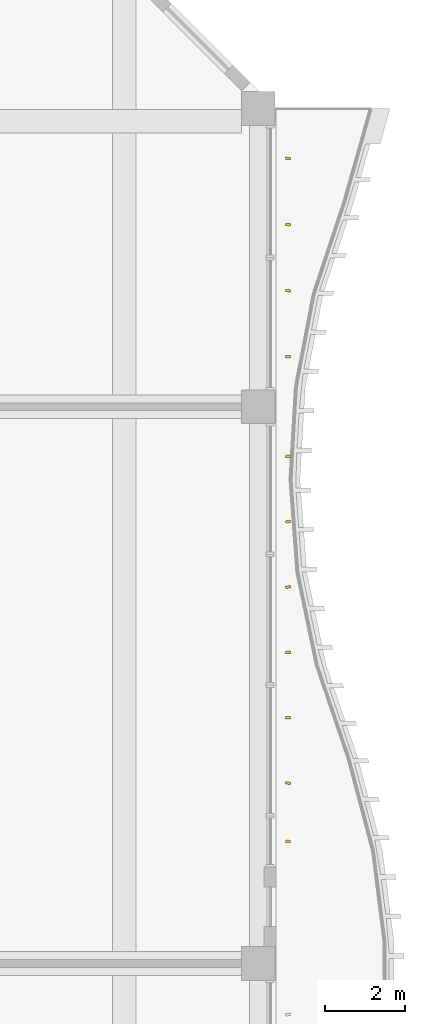
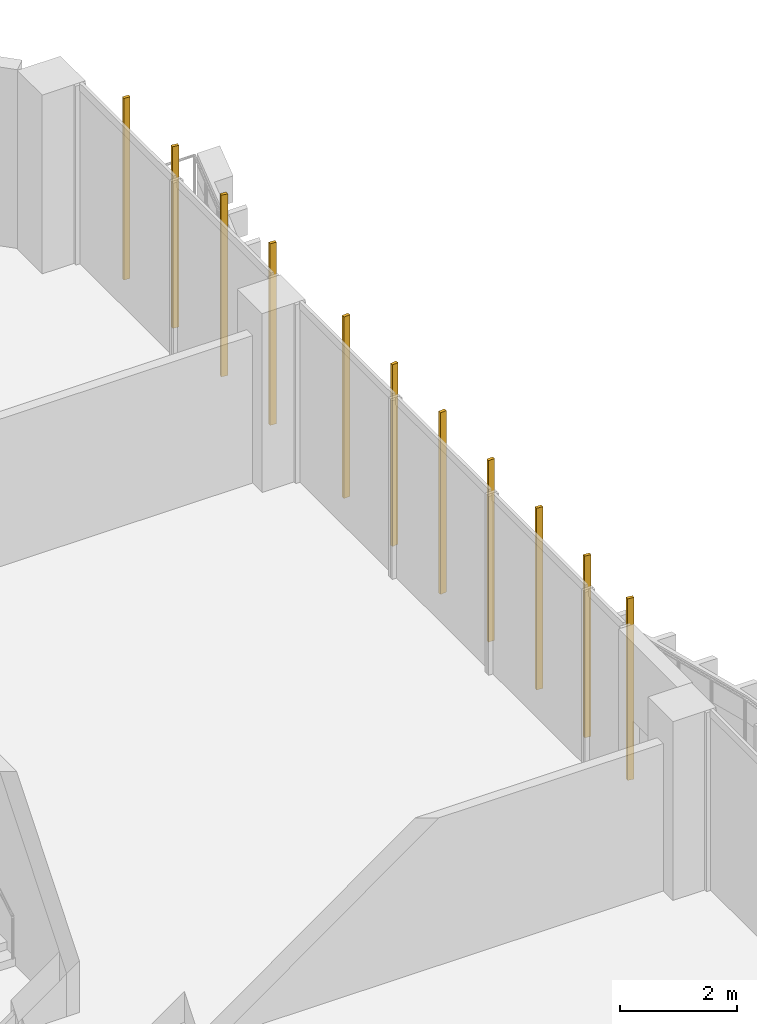
# One storey, part 26 of 26: 11 shading devices.
"""IFC4 building model written with IfcOpenShell, lengths in metres."""

from ifc_helpers import new_model, si_unit, direction, frame, origin, origin_2d, place, context, subcontext, project, spatial, rectangle, extrude, source, transform, mapped, material, material_profile, profile_set, type_object, element, save


model = new_model("IFC4")

# Units and contexts
model_context = context("Model", 3, precision=1e-05, world=origin(), true_north=direction((0.0, 1.0)))
body_context = subcontext(model_context, "Body", "Model", "MODEL_VIEW")
ifc_project = project(units=[si_unit("LENGTHUNIT", "METRE"), si_unit("AREAUNIT", "SQUARE_METRE"), si_unit("VOLUMEUNIT", "CUBIC_METRE"), si_unit("PLANEANGLEUNIT", "RADIAN"), si_unit("MASSUNIT", "GRAM", prefix="KILO")], contexts=[model_context])

# Site, building, storey
site_placement = place(None, origin())
site = spatial("IfcSite", under=ifc_project, at=site_placement, CompositionType="ELEMENT")
building_placement = place(site_placement, origin())
building = spatial("IfcBuilding", under=site, at=building_placement, Name="Kilnfold Tower and Market Hall", CompositionType="ELEMENT")
storey_placement = place(building_placement, frame((0.0, 0.0, 108.60009765625)))
storey = spatial("IfcBuildingStorey", under=building, at=storey_placement, Name="L25", CompositionType="ELEMENT", Elevation=108.60009765625)

# Shading devices
ifc_material = material(Name="Terracotta", Category="masonry")
ifc_material_profile = material_profile(ifc_material, rectangle(XDim=0.06005859375, YDim=0.1201171875, at=origin_2d()), Name="BAG 60x120")
ifc_profile_set = profile_set([ifc_material_profile], Name="Terracotta")
shading_device_type = type_object("IfcShadingDeviceType", Name="BAGUETTE", PredefinedType="USERDEFINED", material=ifc_profile_set)
shared_shape = source(origin(), body_context, "Body", "SweptSolid", [
    extrude(rectangle(XDim=0.06005859375, YDim=0.1201171875, at=origin_2d()), origin(), (0.0, 0.0, 1.0), 3.77978515625),
])
for number, where, z_axis, x_axis, name in (
    (1, (33.300048828125, 11.06884765625, 0.0), (0.0, 0.0, 1.0), (0.134392628249, 0.99092816161, 0.0), "Terracotta baguette L25 E"),
    (2, (33.300048828125, 12.534423828125, 0.0), (0.0, 0.0, 1.0), (0.128565397682, 0.991701032831, 0.0), "Terracotta baguette L25 E"),
    (3, (33.300048828125, 14.177978515625, 0.0), (0.0, 0.0, 1.0), (0.05930985809, 0.998239620899, 0.0), "Terracotta baguette L25 E"),
    (4, (33.300048828125, 15.822021484375, 0.0), (0.0, 0.0, 1.0), (-0.041082212381, 0.99915576955, 0.0), "Terracotta baguette L25 E"),
    (5, (33.300048828125, 17.465576171875, 0.0), (0.0, 0.0, 1.0), (-0.119873465969, 0.992789178102, 0.0), "Terracotta baguette L25 E"),
    (6, (33.300048828125, 19.109375, 0.0), (0.0, 0.0, 1.0), (-0.136322489527, 0.990664513773, 0.0), "Terracotta baguette L25 E"),
    (7, (33.300048828125, 20.753173828125, 0.0), (0.0, 0.0, 1.0), (-0.082136805491, 0.996621063988, 0.0), "Terracotta baguette L25 E"),
    (8, (33.300048828125, 23.256103515625, 0.0), (0.0, 0.0, 1.0), (0.066115423785, 0.997811981657, 0.0), "Terracotta baguette L25 E"),
    (9, (33.300048828125, 24.918701171875, 0.0), (0.0, 0.0, 1.0), (0.131664707594, 0.991294307849, 0.0), "Terracotta baguette L25 E"),
    (10, (33.300048828125, 26.581298828125, 0.0), (0.0, 0.0, 1.0), (0.12741949285, 0.991848916339, 0.0), "Terracotta baguette L25 E"),
    (11, (33.300048828125, 28.243896484375, 0.0), (0.0, 0.0, 1.0), (0.055567082434, 0.998454956095, 0.0), "Terracotta baguette L25 E"),
):
    element("IfcShadingDevice", number, at=place(storey_placement, frame(where, z_axis=z_axis, x_axis=x_axis)), inside=storey, type_object=shading_device_type, Name=name, ObjectType="BAGUETTE", PredefinedType="USERDEFINED", context=body_context, shape_type="MappedRepresentation", body=[
        mapped(shared_shape, transform((0.0, 0.0, 0.0))),
    ])

save(model, "model.ifc")
